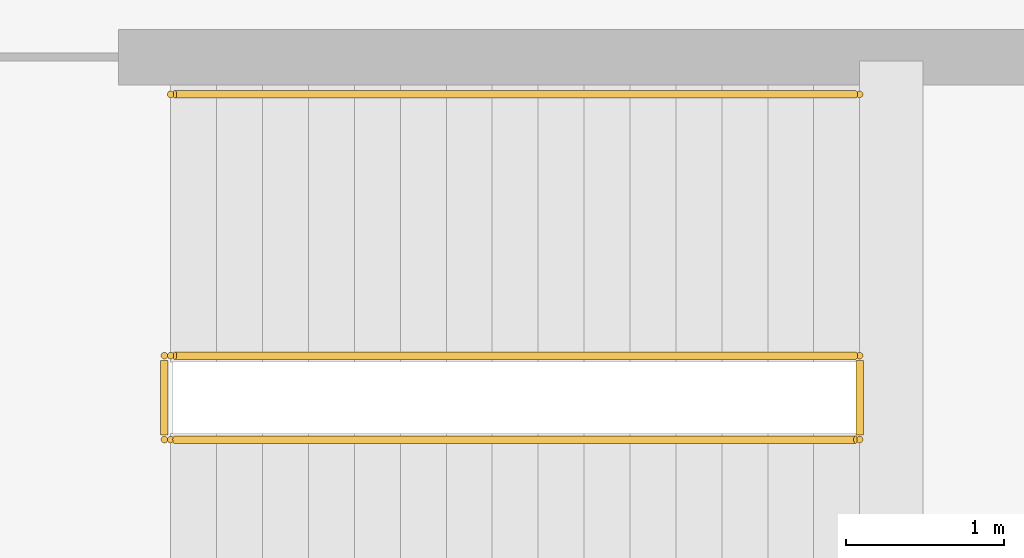
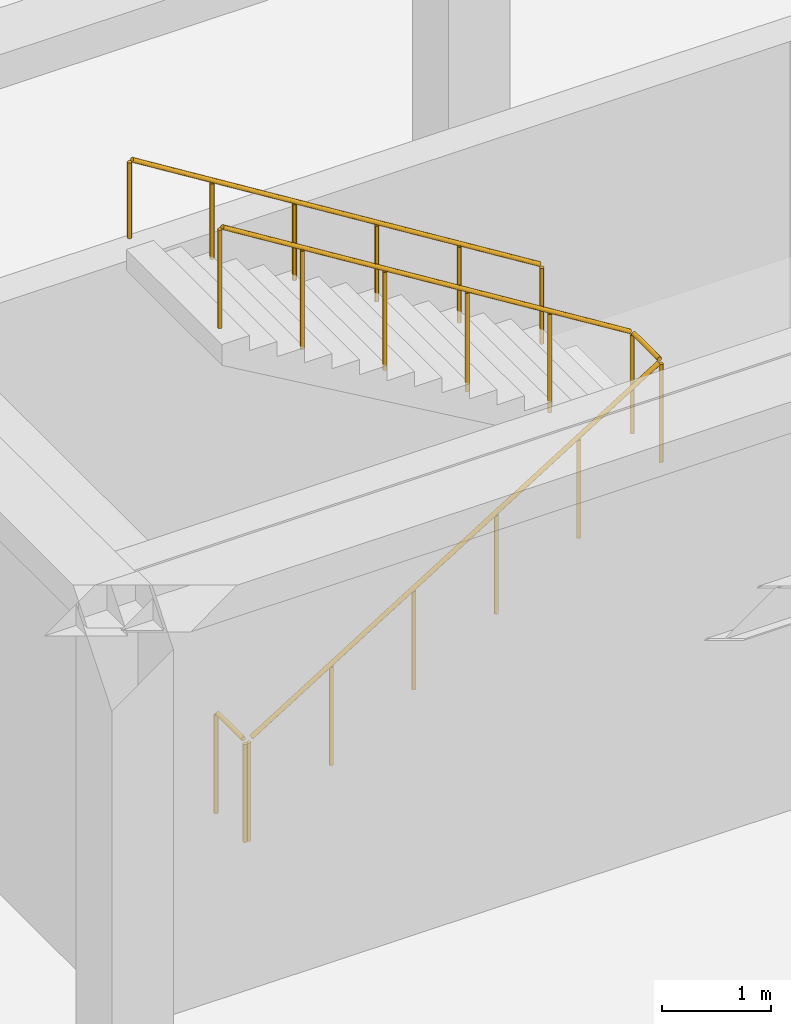
# One storey, part 93 of 95: 3 railings.
"""IFC4 building model written with IfcOpenShell, lengths in metres."""

from ifc_helpers import new_model, si_unit, direction, frame, origin, origin_2d, place, context, subcontext, project, spatial, circle, extrude, material, type_object, element, save


model = new_model("IFC4")

# Units and contexts
model_context = context("Model", 3, precision=1e-05, world=origin(), true_north=direction((0.0, 1.0)))
body_context = subcontext(model_context, "Body", "Model", "MODEL_VIEW")
ifc_project = project(units=[si_unit("LENGTHUNIT", "METRE"), si_unit("AREAUNIT", "SQUARE_METRE"), si_unit("VOLUMEUNIT", "CUBIC_METRE"), si_unit("PLANEANGLEUNIT", "RADIAN"), si_unit("MASSUNIT", "GRAM", prefix="KILO")], contexts=[model_context])

# Site, building, storey
site_placement = place(None, origin())
site = spatial("IfcSite", under=ifc_project, at=site_placement, CompositionType="ELEMENT")
building_placement = place(site_placement, origin())
building = spatial("IfcBuilding", under=site, at=building_placement, Name="Almacenes y Pasaje Nevantli", CompositionType="ELEMENT")
storey_placement = place(building_placement, frame((0.0, 0.0, 11.39990234375)))
storey = spatial("IfcBuildingStorey", under=building, at=storey_placement, Name="L03", CompositionType="ELEMENT", Elevation=11.39990234375)

# Railings
ifc_material_1 = material(Name="Brushed Stainless Steel and Tempered Safety Glass", Category="steel")
railing_type_1 = type_object("IfcRailingType", Name="RL-GUARD-1100", PredefinedType="BALUSTRADE", material=ifc_material_1)
railing_1_placement = place(storey_placement, frame((128.699951171875, 19.2099609375, 0.0)))
element("IfcRailing", 1, at=railing_1_placement, inside=storey, type_object=railing_type_1, Name="L03 Stair ST-06 Inner Well Guard Balustrade", PredefinedType="BALUSTRADE", context=body_context, shape_type="SweptSolid", body=[
    extrude(circle(Radius=0.02392578125, at=origin_2d()), frame((0.025390625, 0.0, 1.1416015625), z_axis=(0.849628378081, 0.0, 0.527381853271), x_axis=(0.0, 1.0, 0.0)), (0.0, 0.0, 1.0), 5.06005859375),
    extrude(circle(Radius=0.02392578125, at=origin_2d()), frame((4.35009765625, 0.030029296875, 3.826171875), z_axis=(0.0, 1.0, 0.0), x_axis=(-1.0, 0.0, 0.0)), (0.0, 0.0, 1.0), 0.469970703125),
    extrude(circle(Radius=0.02392578125, at=origin_2d()), frame((4.32470703125, 0.530029296875, 3.841796875), z_axis=(-0.849649743971, 0.0, 0.527347430608), x_axis=(0.0, -1.0, 0.0)), (0.0, 0.0, 1.0), 5.059814453125),
    extrude(circle(Radius=0.02099609375, at=origin_2d()), origin(), (0.0, 0.0, 1.0), 1.096923828125),
    extrude(circle(Radius=0.02099609375, at=origin_2d()), frame((0.8701171875, 0.0, 0.5400390625)), (0.0, 0.0, 1.0), 1.096923828125),
    extrude(circle(Radius=0.02099609375, at=origin_2d()), frame((1.739990234375, 0.0, 1.080078125)), (0.0, 0.0, 1.0), 1.096923828125),
    extrude(circle(Radius=0.02099609375, at=origin_2d()), frame((2.610107421875, 0.0, 1.6201171875)), (0.0, 0.0, 1.0), 1.096923828125),
    extrude(circle(Radius=0.02099609375, at=origin_2d()), frame((3.47998046875, 0.0, 2.16015625)), (0.0, 0.0, 1.0), 1.096923828125),
    extrude(circle(Radius=0.02099609375, at=origin_2d()), frame((4.35009765625, 0.0, 2.7001953125)), (0.0, 0.0, 1.0), 1.096923828125),
    extrude(circle(Radius=0.02099609375, at=origin_2d()), frame((4.35009765625, 0.530029296875, 2.7001953125)), (0.0, 0.0, 1.0), 1.096923828125),
    extrude(circle(Radius=0.02099609375, at=origin_2d()), frame((3.47998046875, 0.530029296875, 3.240234375)), (0.0, 0.0, 1.0), 1.096923828125),
    extrude(circle(Radius=0.02099609375, at=origin_2d()), frame((2.610107421875, 0.530029296875, 3.7802734375)), (0.0, 0.0, 1.0), 1.096923828125),
    extrude(circle(Radius=0.02099609375, at=origin_2d()), frame((1.739990234375, 0.530029296875, 4.320068359375)), (0.0, 0.0, 1.0), 1.096923828125),
    extrude(circle(Radius=0.02099609375, at=origin_2d()), frame((0.8701171875, 0.530029296875, 4.860107421875)), (0.0, 0.0, 1.0), 1.096923828125),
    extrude(circle(Radius=0.02099609375, at=origin_2d()), frame((0.0, 0.530029296875, 5.400146484375)), (0.0, 0.0, 1.0), 1.096923828125),
])
railing_2_placement = place(storey_placement, frame((128.659912109375, 19.2099609375, 0.0)))
element("IfcRailing", 2, at=railing_2_placement, inside=storey, type_object=railing_type_1, Name="L03 Stair ST-06 Landing Well Slot Guard", PredefinedType="BALUSTRADE", context=body_context, shape_type="SweptSolid", body=[
    extrude(circle(Radius=0.02392578125, at=origin_2d()), frame((0.0, 0.030029296875, 1.1259765625), z_axis=(0.0, 1.0, 0.0), x_axis=(-1.0, 0.0, 0.0)), (0.0, 0.0, 1.0), 0.469970703125),
    extrude(circle(Radius=0.02099609375, at=origin_2d()), origin(), (0.0, 0.0, 1.0), 1.096923828125),
    extrude(circle(Radius=0.02099609375, at=origin_2d()), frame((0.0, 0.530029296875, 0.0)), (0.0, 0.0, 1.0), 1.096923828125),
])
ifc_material_2 = material(Name="Brushed Stainless Steel Tube", Category="steel")
railing_type_2 = type_object("IfcRailingType", Name="RL-HANDRAIL-900", PredefinedType="HANDRAIL", material=ifc_material_2)
railing_3_placement = place(storey_placement, frame((133.050048828125, 21.389892578125, 2.7001953125)))
element("IfcRailing", 3, at=railing_3_placement, inside=storey, type_object=railing_type_2, Name="L03 Stair ST-06 Upper Flight Handrail", PredefinedType="HANDRAIL", context=body_context, shape_type="SweptSolid", body=[
    extrude(circle(Radius=0.02392578125, at=origin_2d()), frame((-0.025390625, 0.0, 0.8916015625), z_axis=(-0.849649743971, 0.0, 0.527347430608), x_axis=(0.0, -1.0, 0.0)), (0.0, 0.0, 1.0), 5.059814453125),
    extrude(circle(Radius=0.02099609375, at=origin_2d()), origin(), (0.0, 0.0, 1.0), 0.846923828125),
    extrude(circle(Radius=0.02099609375, at=origin_2d()), frame((-0.8701171875, 0.0, 0.5400390625)), (0.0, 0.0, 1.0), 0.846923828125),
    extrude(circle(Radius=0.02099609375, at=origin_2d()), frame((-1.739990234375, 0.0, 1.080078125)), (0.0, 0.0, 1.0), 0.846923828125),
    extrude(circle(Radius=0.02099609375, at=origin_2d()), frame((-2.610107421875, 0.0, 1.619873046875)), (0.0, 0.0, 1.0), 0.846923828125),
    extrude(circle(Radius=0.02099609375, at=origin_2d()), frame((-3.47998046875, 0.0, 2.159912109375)), (0.0, 0.0, 1.0), 0.846923828125),
    extrude(circle(Radius=0.02099609375, at=origin_2d()), frame((-4.35009765625, 0.0, 2.699951171875)), (0.0, 0.0, 1.0), 0.846923828125),
])

save(model, "model.ifc")
